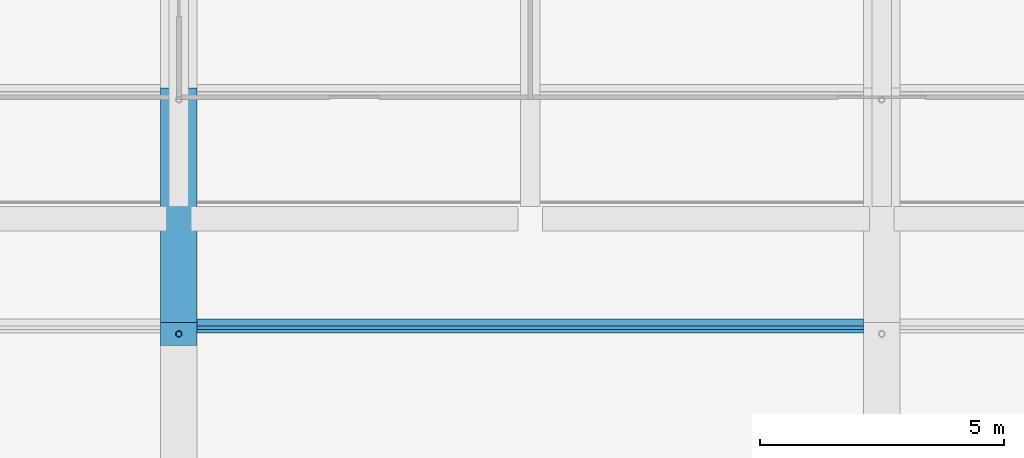
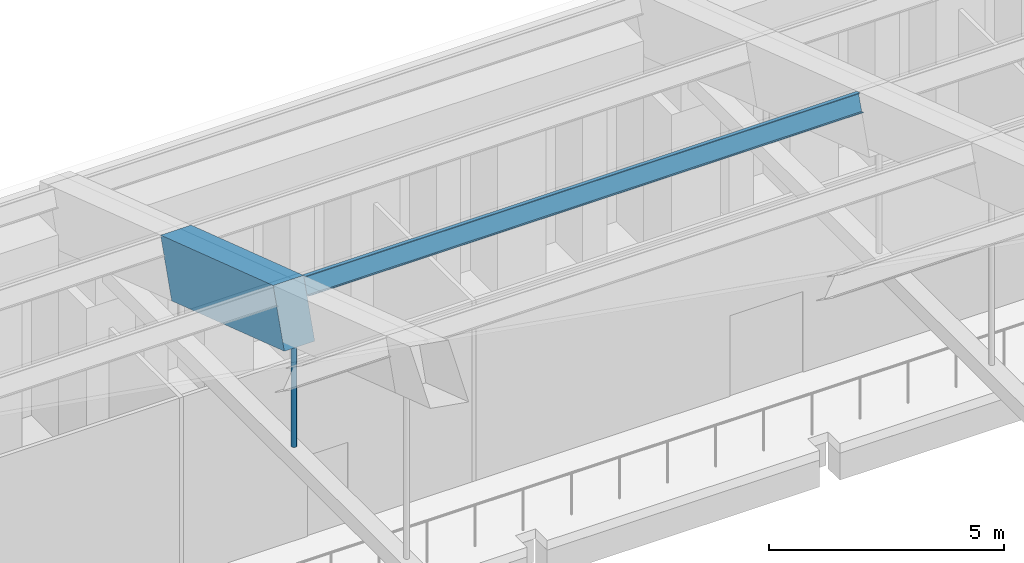
# One storey, part 65 of 149: 2 members, 1 beam.
"""IFC4 building model written with IfcOpenShell, lengths in metres."""

from ifc_helpers import new_model, si_unit, direction, frame, origin, origin_2d, place, context, subcontext, project, spatial, rectangle, hollow_circle, i_section, extrude, material, material_profile, profile_set, type_object, element, save


model = new_model("IFC4")

# Units and contexts
model_context = context("Model", 3, precision=1e-05, world=origin(), true_north=direction((0.0, 1.0)))
body_context = subcontext(model_context, "Body", "Model", "MODEL_VIEW")
ifc_project = project(units=[si_unit("LENGTHUNIT", "METRE"), si_unit("AREAUNIT", "SQUARE_METRE"), si_unit("VOLUMEUNIT", "CUBIC_METRE"), si_unit("PLANEANGLEUNIT", "RADIAN"), si_unit("MASSUNIT", "GRAM", prefix="KILO")], contexts=[model_context])

# Site, building, storey
site_placement = place(None, origin())
site = spatial("IfcSite", under=ifc_project, at=site_placement, CompositionType="ELEMENT")
building_placement = place(site_placement, origin())
building = spatial("IfcBuilding", under=site, at=building_placement, Name="Alderwick Market Hall", CompositionType="ELEMENT")
storey_placement = place(building_placement, frame((0.0, 0.0, 9.60009765625)))
storey = spatial("IfcBuildingStorey", under=building, at=storey_placement, Name="L01", CompositionType="ELEMENT", Elevation=9.60009765625)

# Beam
ifc_material_1 = material(Name="Concrete 5000 psi (f'c 35 MPa)", Category="concrete")
ifc_material_profile_1 = material_profile(ifc_material_1, rectangle(XDim=0.75, YDim=1.5, at=origin_2d()), Name="RC 750x1500")
ifc_profile_set_1 = profile_set([ifc_material_profile_1], Name="Concrete 5000 psi (f'c 35 MPa)")
beam_type = type_object("IfcBeamType", Name="R Arch Rib Springing 750x1500", PredefinedType="BEAM", material=ifc_profile_set_1)
beam_placement = place(storey_placement, frame((93.60009765625, 98.39990234375, 9.7998046875), z_axis=(0.0, 0.948692948114, -0.316198814353), x_axis=(-1.0, 0.0, 0.0)))
element("IfcBeam", 1, at=beam_placement, inside=storey, type_object=beam_type, Name="Arch rib 4 chord 11", PredefinedType="BEAM", context=body_context, shape_type="SweptSolid", body=[
    extrude(rectangle(XDim=0.75, YDim=1.5, at=origin_2d()), origin(), (0.0, 0.0, 1.0), 5.0595703125),
])

# Members
ifc_material_2 = material(Name="Steel ASTM A500 Grade C", Category="steel")
ifc_material_profile_2 = material_profile(ifc_material_2, hollow_circle(Radius=0.0634765625, WallThickness=0.005859375, at=origin_2d()), Name="HSS5.000x0.250")
ifc_profile_set_2 = profile_set([ifc_material_profile_2], Name="Steel ASTM A500 Grade C")
member_type_1 = type_object("IfcMemberType", Name="R Hanger HSS5.000x0.250", PredefinedType="POST", material=ifc_profile_set_2)
member_1_placement = place(storey_placement, frame((93.60009765625, 98.39990234375, 6.35302734375), z_axis=(0.0, 0.0, 1.0), x_axis=(1.0, 0.0, 0.0)))
element("IfcMember", 2, at=member_1_placement, inside=storey, type_object=member_type_1, Name="Arch hanger 4.10", PredefinedType="POST", context=body_context, shape_type="SweptSolid", body=[
    extrude(hollow_circle(Radius=0.0634765625, WallThickness=0.005859375, at=origin_2d()), origin(), (0.0, 0.0, 1.0), 2.63525390625),
])
ifc_material_3 = material(Name="Steel ASTM A992 Grade 50", Category="steel")
ifc_material_profile_3 = material_profile(ifc_material_3, i_section(OverallWidth=0.153076171875, OverallDepth=0.455078125, WebThickness=0.008056640625, FlangeThickness=0.01318359375, at=origin_2d()), Name="W18x40")
ifc_profile_set_3 = profile_set([ifc_material_profile_3], Name="Steel ASTM A992 Grade 50")
member_type_2 = type_object("IfcMemberType", Name="R Purlin W18x40", PredefinedType="PURLIN", material=ifc_profile_set_3)
member_2_placement = place(storey_placement, frame((93.97509765625, 98.563232421875, 10.289794921875), z_axis=(1.0, 0.0, 0.0), x_axis=(0.0, 0.948683297073, -0.316227768949)))
element("IfcMember", 3, at=member_2_placement, inside=storey, type_object=member_type_2, Name="Roof purlin 11.4", PredefinedType="PURLIN", context=body_context, shape_type="SweptSolid", body=[
    extrude(i_section(OverallWidth=0.153076171875, OverallDepth=0.455078125, WebThickness=0.008056640625, FlangeThickness=0.01318359375, at=origin_2d()), origin(), (0.0, 0.0, 1.0), 13.64990234375),
])

save(model, "model.ifc")
